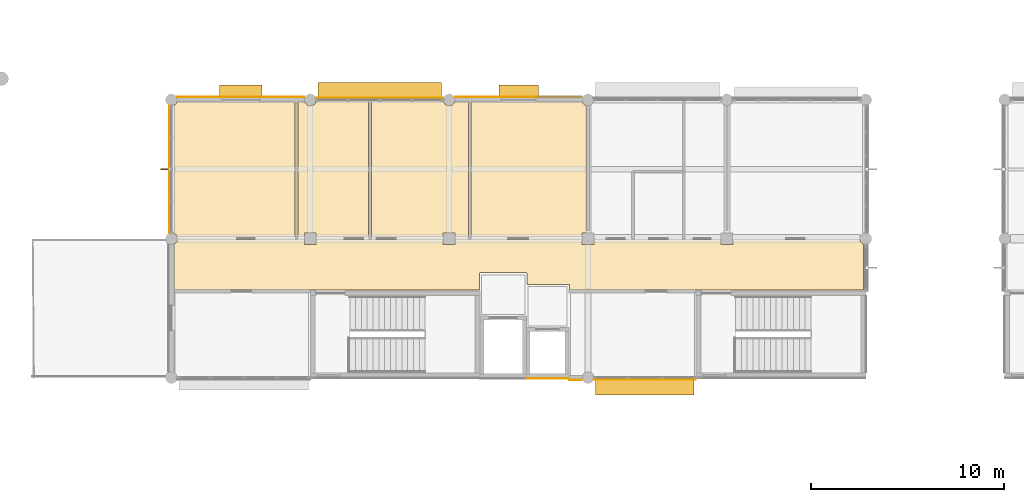
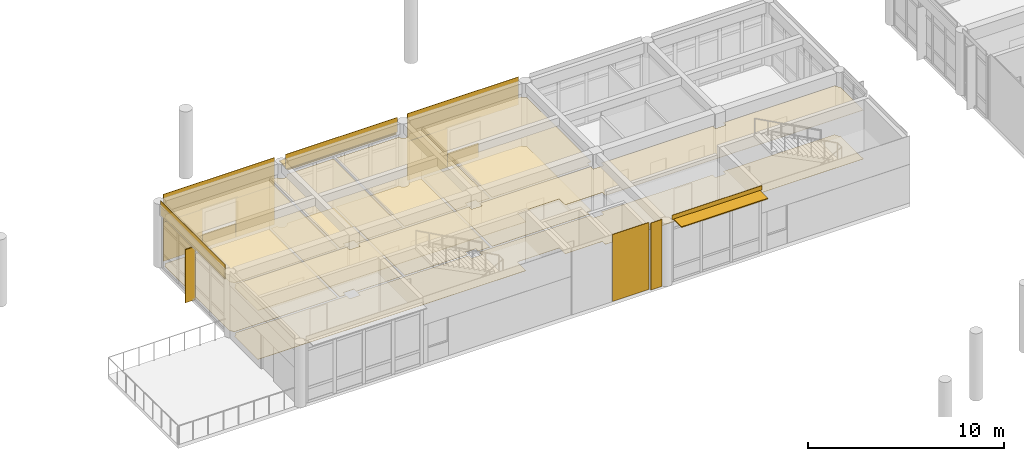
# One storey, part 36 of 41: 22 coverings, 5 shading devices.
"""IFC4 building model written with IfcOpenShell, lengths in metres."""

import ifcopenshell
import ifcopenshell.guid

model = None  # the IFC model being written
_history = None  # IfcOwnerHistory: only IFC2X3 demands one
_inside = {}  # id of a spatial element -> (the spatial element, [elements in it])
_under = {}  # id of a project, library or spatial element -> (it, [spatial elements below it])
_declared = {}  # id of a project -> (the project, [libraries it declares])
_typed = {}  # id of a type object -> (the type object, [elements of that type])
_made_of = {}  # id of a material, layer set ... -> (it, [elements and type objects made of it])


def new_model(schema):
    """Start an empty IFC model of exactly this schema.

    Asked for "IFC4X3", IfcOpenShell would pick the latest addendum, in which some entities
    have other attributes; the version numbers below select the first issue.
    IFC2X3 requires an IfcOwnerHistory on every rooted entity: one is made here for all.
    """
    global model, _history
    if schema == "IFC4X3":
        model = ifcopenshell.file(schema_version=(4, 3, 0, 0))
    else:
        model = ifcopenshell.file(schema=schema)
    _inside.clear()
    _under.clear()
    _declared.clear()
    _typed.clear()
    _made_of.clear()
    _history = None
    if model.schema == "IFC2X3":
        org = make("IfcOrganization", Name="unknown")
        user = make(
            "IfcPersonAndOrganization",
            ThePerson=make("IfcPerson", FamilyName="unknown"),
            TheOrganization=org,
        )
        app = make(
            "IfcApplication",
            ApplicationDeveloper=org,
            Version="unknown",
            ApplicationFullName="unknown",
            ApplicationIdentifier="unknown",
        )
        _history = make(
            "IfcOwnerHistory",
            OwningUser=user,
            OwningApplication=app,
            ChangeAction="ADDED",
            CreationDate=0,
        )
    return model


def make(cls, **values):
    """One entity of the class cls with the attributes given. An attribute that is None is left unset."""
    return model.create_entity(
        cls, **{name: value for name, value in values.items() if value is not None}
    )


def rooted(cls, **values):
    """An entity with a GlobalId (a new one), such as an element, a storey or a relation."""
    return make(cls, GlobalId=ifcopenshell.guid.new(), OwnerHistory=_history, **values)


def si_unit(unit_type, name, prefix=None):
    """IfcSIUnit, for example si_unit("LENGTHUNIT", "METRE", prefix="MILLI")."""
    return make("IfcSIUnit", UnitType=unit_type, Prefix=prefix, Name=name)


def assignment(units):
    """IfcUnitAssignment: the units of a project."""
    return None if units is None else make("IfcUnitAssignment", Units=units)


def point(xyz):
    """IfcCartesianPoint."""
    return None if xyz is None else make("IfcCartesianPoint", Coordinates=xyz)


def direction(xyz):
    """IfcDirection."""
    return None if xyz is None else make("IfcDirection", DirectionRatios=xyz)


def frame(location, z_axis=None, x_axis=None):
    """IfcAxis2Placement3D, a coordinate frame: its origin and axes. An axis left out is left unset."""
    return make(
        "IfcAxis2Placement3D",
        Location=point(location),
        Axis=direction(z_axis),
        RefDirection=direction(x_axis),
    )


def frame_2d(location, x_axis=None):
    """IfcAxis2Placement2D, a coordinate frame in the plane: its origin and x axis."""
    return make(
        "IfcAxis2Placement2D", Location=point(location), RefDirection=direction(x_axis)
    )


def origin():
    """The frame at (0, 0, 0) with its axes left unset."""
    return frame((0.0, 0.0, 0.0))


def origin_2d():
    """The frame at (0, 0) in the plane with its x axis left unset."""
    return frame_2d((0.0, 0.0))


def place(relative_to, where):
    """IfcLocalPlacement: puts the frame where relative to a parent placement (None: the world)."""
    return make(
        "IfcLocalPlacement", PlacementRelTo=relative_to, RelativePlacement=where
    )


def context(
    kind, dimensions, precision=None, world=None, true_north=None, identifier=None
):
    """IfcGeometricRepresentationContext, for example the 3D "Model" context."""
    return make(
        "IfcGeometricRepresentationContext",
        ContextIdentifier=identifier,
        ContextType=kind,
        CoordinateSpaceDimension=dimensions,
        Precision=precision,
        WorldCoordinateSystem=world,
        TrueNorth=true_north,
    )


def subcontext(parent, identifier, kind, view, scale=None):
    """IfcGeometricRepresentationSubContext, for example "Body" below "Model"."""
    return make(
        "IfcGeometricRepresentationSubContext",
        ContextIdentifier=identifier,
        ContextType=kind,
        ParentContext=parent,
        TargetScale=scale,
        TargetView=view,
    )


def project(units=None, contexts=None):
    """IfcProject with its units and contexts."""
    return rooted(
        "IfcProject",
        Name="project",
        RepresentationContexts=contexts,
        UnitsInContext=assignment(units),
    )


def spatial(cls, under=None, at=None, **own):
    """A site, building, storey or space (cls), placed at a placement, below another one or the project."""
    s = rooted(cls, ObjectPlacement=at, **own)
    if under is not None:
        _under.setdefault(under.id(), (under, []))[1].append(s)
    return s


def polyline(points):
    """IfcPolyline through the points."""
    return make("IfcPolyline", Points=[point(p) for p in points])


def profile(cls, at=None, kind="AREA", **sizes):
    """A parametric profile (cls). Its sizes go by their IFC names, for example OverallWidth=200.0."""
    return make(cls, ProfileType=kind, Position=at, **sizes)


def rectangle(**sizes):
    """IfcRectangleProfileDef."""
    return profile("IfcRectangleProfileDef", **sizes)


def outline(outer, holes=None, kind="AREA"):
    """IfcArbitraryClosedProfileDef: a profile drawn as a closed curve; with holes, ...WithVoids."""
    if holes is None:
        return make("IfcArbitraryClosedProfileDef", ProfileType=kind, OuterCurve=outer)
    return make(
        "IfcArbitraryProfileDefWithVoids",
        ProfileType=kind,
        OuterCurve=outer,
        InnerCurves=holes,
    )


def extrude(swept, where, along, depth):
    """IfcExtrudedAreaSolid: the profile swept, set in the frame where, extruded along a direction by depth."""
    return make(
        "IfcExtrudedAreaSolid",
        SweptArea=swept,
        Position=where,
        ExtrudedDirection=direction(along),
        Depth=depth,
    )


def shape(context_of_items, identifier, shape_type, items):
    """IfcShapeRepresentation: the items that make up one representation, for example the "Body"."""
    return make(
        "IfcShapeRepresentation",
        ContextOfItems=context_of_items,
        RepresentationIdentifier=identifier,
        RepresentationType=shape_type,
        Items=items,
    )


def material(Name=None, Category=None):
    """IfcMaterial."""
    return make("IfcMaterial", Name=Name, Category=Category)


def layer(
    of_material, thickness, ventilated=None, Name=None, Category=None, Priority=None
):
    """IfcMaterialLayer: one layer of a wall or slab, of a material (None: an air gap)."""
    return make(
        "IfcMaterialLayer",
        Material=of_material,
        LayerThickness=thickness,
        IsVentilated=ventilated,
        Name=Name,
        Category=Category,
        Priority=Priority,
    )


def layer_set(layers, Name=None):
    """IfcMaterialLayerSet."""
    return make("IfcMaterialLayerSet", MaterialLayers=layers, LayerSetName=Name)


def made_of(thing, what):
    """Note that an element or type object is made of a material, layer set ...; save() writes the relation."""
    if what is not None:
        _made_of.setdefault(what.id(), (what, []))[1].append(thing)
    return thing


def type_object(cls, material=None, **own):
    """A type object (cls), such as IfcWallType, which elements share."""
    return made_of(rooted(cls, **own), material)


def element(
    cls,
    number,
    at=None,
    inside=None,
    cuts=None,
    type_object=None,
    material=None,
    context=None,
    identifier="Body",
    shape_type=None,
    held_by="IfcProductDefinitionShape",
    body=None,
    shapes=None,
    **own,
):
    """One element of the class cls, such as IfcWall. Its Tag is "e" and its number.

    at: its placement. inside: the storey or other place that contains it. cuts: it is an
    opening in that element (IfcRelVoidsElement). A single representation is given by context,
    identifier, shape_type and body (its items); several are given by shapes. held_by: the class
    of the entity that holds the representations. save() writes the other relations.
    """
    e = rooted(cls, Tag="e%d" % number, ObjectPlacement=at, **own)
    if body is not None:
        shapes = [shape(context, identifier, shape_type, body)]
    if shapes is not None:
        e.Representation = make(held_by, Representations=shapes)
    if inside is not None:
        _inside.setdefault(inside.id(), (inside, []))[1].append(e)
    if cuts is not None:
        rooted(
            "IfcRelVoidsElement", RelatingBuildingElement=cuts, RelatedOpeningElement=e
        )
    if type_object is not None:
        _typed.setdefault(type_object.id(), (type_object, []))[1].append(e)
    return made_of(e, material)


def aggregate(whole, parts):
    """IfcRelAggregates: a whole, such as a stair, and the parts it consists of."""
    return rooted("IfcRelAggregates", RelatingObject=whole, RelatedObjects=parts)


def save(model, path):
    """Write the relations noted so far, then the file.

    IfcRelAggregates (storeys below a building ...), IfcRelContainedInSpatialStructure (elements
    in a storey), IfcRelDefinesByType, IfcRelAssociatesMaterial and IfcRelDeclares: one each for
    every whole, place, type object, material and project.
    """
    for whole, parts in _under.values():
        aggregate(whole, parts)
    for where, things in _inside.values():
        rooted(
            "IfcRelContainedInSpatialStructure",
            RelatedElements=things,
            RelatingStructure=where,
        )
    for kind, things in _typed.values():
        rooted("IfcRelDefinesByType", RelatedObjects=things, RelatingType=kind)
    for what, things in _made_of.values():
        rooted("IfcRelAssociatesMaterial", RelatedObjects=things, RelatingMaterial=what)
    for by, libraries in _declared.values():
        rooted("IfcRelDeclares", RelatingContext=by, RelatedDefinitions=libraries)
    model.write(path)


model = new_model("IFC4")

# Units and contexts
model_context = context("Model", 3, precision=1e-05, world=origin(), true_north=direction((0.0, 1.0)))
body_context = subcontext(model_context, "Body", "Model", "MODEL_VIEW")
ifc_project = project(units=[si_unit("LENGTHUNIT", "METRE"), si_unit("AREAUNIT", "SQUARE_METRE"), si_unit("VOLUMEUNIT", "CUBIC_METRE"), si_unit("PLANEANGLEUNIT", "RADIAN"), si_unit("MASSUNIT", "GRAM", prefix="KILO")], contexts=[model_context])

# Site, building, storey
site_placement = place(None, origin())
site = spatial("IfcSite", under=ifc_project, at=site_placement, CompositionType="ELEMENT")
building_placement = place(site_placement, origin())
building = spatial("IfcBuilding", under=site, at=building_placement, Name="Namkhue Oval Health Centre", CompositionType="ELEMENT")
storey_placement = place(building_placement, frame((0.0, 0.0, 13.800048828125)))
storey = spatial("IfcBuildingStorey", under=building, at=storey_placement, Name="L03", CompositionType="ELEMENT", Elevation=13.800048828125)

# Coverings
ifc_material_1 = material(Name="Acoustic mineral-fibre cleanroom ceiling", Category="gypsum")
ifc_layer_1 = layer(ifc_material_1, 0.02001953125)
ifc_layer_set_1 = layer_set([ifc_layer_1], Name="Acoustic mineral-fibre cleanroom ceiling")
covering_type_1 = type_object("IfcCoveringType", Name="ACOUSTIC CLEANROOM CEILING 20", PredefinedType="CEILING", material=ifc_layer_set_1)
covering_1_placement = place(storey_placement, frame((0.0, 0.0, 3.050048828125)))
element("IfcCovering", 1, at=covering_1_placement, inside=storey, type_object=covering_type_1, Name="Acoustic Ceiling L03-V2-C1 V2 Clinical Corridor", PredefinedType="CEILING", context=body_context, shape_type="SweptSolid", body=[
    extrude(outline(polyline([(71.0400390625, 94.800048828125), (71.037109375, 94.815185546875), (71.0283203125, 94.828369140625), (71.015380859375, 94.8369140625), (71.0, 94.840087890625), (68.840087890625, 94.840087890625), (68.83984375, 95.40380859375), (68.8369140625, 95.415283203125), (68.828369140625, 95.42822265625), (68.815185546875, 95.43701171875), (68.803955078125, 95.439697265625), (66.39990234375, 95.43994140625), (66.384765625, 95.43701171875), (66.37158203125, 95.42822265625), (66.363037109375, 95.415283203125), (66.360107421875, 95.39990234375), (66.360107421875, 94.5400390625), (50.52490234375, 94.5400390625), (50.52490234375, 96.919189453125), (50.554931640625, 96.931396484375), (50.619140625, 96.980712890625), (50.66845703125, 97.044921875), (50.699462890625, 97.119873046875), (50.70458984375, 97.159912109375), (57.2900390625, 97.159912109375), (57.2900390625, 96.889892578125), (57.909912109375, 96.889892578125), (57.909912109375, 97.159912109375), (64.489990234375, 97.159912109375), (64.489990234375, 96.889892578125), (65.110107421875, 96.889892578125), (65.110107421875, 97.159912109375), (71.68994140625, 97.159912109375), (71.68994140625, 96.889892578125), (72.31005859375, 96.889892578125), (72.31005859375, 97.159912109375), (78.889892578125, 97.159912109375), (78.889892578125, 96.889892578125), (79.510009765625, 96.889892578125), (79.510009765625, 97.159912109375), (86.09521484375, 97.159912109375), (86.1005859375, 97.119873046875), (86.131591796875, 97.044921875), (86.180908203125, 96.980712890625), (86.2451171875, 96.931396484375), (86.27490234375, 96.919189453125), (86.27490234375, 94.5400390625), (71.0400390625, 94.5400390625), (71.0400390625, 94.800048828125)])), origin(), (0.0, 0.0, 1.0), 0.02001953125),
])
covering_2_placement = place(storey_placement, frame((0.0, 0.0, 3.050048828125)))
element("IfcCovering", 2, at=covering_2_placement, inside=storey, type_object=covering_type_1, Name="Acoustic Ceiling L03-201 Patient Terrace Lounge", PredefinedType="CEILING", context=body_context, shape_type="SweptSolid", body=[
    extrude(outline(polyline([(50.699462890625, 97.280029296875), (50.66845703125, 97.35498046875), (50.619140625, 97.419189453125), (50.554931640625, 97.468505859375), (50.554931640625, 104.131591796875), (50.619140625, 104.180908203125), (50.66845703125, 104.2451171875), (50.697509765625, 104.31494140625), (56.81298828125, 104.31494140625), (56.81298828125, 97.280029296875), (50.699462890625, 97.280029296875)])), origin(), (0.0, 0.0, 1.0), 0.02001953125),
])
covering_3_placement = place(storey_placement, frame((0.0, 0.0, 3.050048828125)))
element("IfcCovering", 3, at=covering_3_placement, inside=storey, type_object=covering_type_1, Name="Acoustic Ceiling L03-202 HVAC Sub Plant Room", PredefinedType="CEILING", context=body_context, shape_type="SweptSolid", body=[
    extrude(outline(polyline([(57.909912109375, 97.280029296875), (57.909912109375, 97.510009765625), (57.2900390625, 97.510009765625), (57.2900390625, 97.280029296875), (56.952880859375, 97.280029296875), (56.952880859375, 104.31494140625), (57.302490234375, 104.31494140625), (57.33154296875, 104.2451171875), (57.380859375, 104.180908203125), (57.445068359375, 104.131591796875), (57.519775390625, 104.1005859375), (57.60009765625, 104.090087890625), (57.68017578125, 104.1005859375), (57.7548828125, 104.131591796875), (57.819091796875, 104.180908203125), (57.868408203125, 104.2451171875), (57.8974609375, 104.31494140625), (60.631103515625, 104.31494140625), (60.631103515625, 97.280029296875), (57.909912109375, 97.280029296875)])), origin(), (0.0, 0.0, 1.0), 0.02001953125),
])
covering_4_placement = place(storey_placement, frame((0.0, 0.0, 3.050048828125)))
element("IfcCovering", 4, at=covering_4_placement, inside=storey, type_object=covering_type_1, Name="Acoustic Ceiling L03-203 Family Medicine Consultation", PredefinedType="CEILING", context=body_context, shape_type="SweptSolid", body=[
    extrude(outline(polyline([(65.110107421875, 97.280029296875), (65.110107421875, 97.510009765625), (64.489990234375, 97.510009765625), (64.489990234375, 97.280029296875), (60.77099609375, 97.280029296875), (60.77099609375, 104.31494140625), (64.50244140625, 104.31494140625), (64.531494140625, 104.2451171875), (64.580810546875, 104.180908203125), (64.64501953125, 104.131591796875), (64.7197265625, 104.1005859375), (64.800048828125, 104.090087890625), (64.880126953125, 104.1005859375), (64.955078125, 104.131591796875), (65.019287109375, 104.180908203125), (65.068603515625, 104.2451171875), (65.097412109375, 104.31494140625), (65.799072265625, 104.31494140625), (65.799072265625, 97.280029296875), (65.110107421875, 97.280029296875)])), origin(), (0.0, 0.0, 1.0), 0.02001953125),
])
covering_5_placement = place(storey_placement, frame((0.0, 0.0, 3.050048828125)))
element("IfcCovering", 5, at=covering_5_placement, inside=storey, type_object=covering_type_1, Name="Acoustic Ceiling L03-204 Dermatology Examination Room", PredefinedType="CEILING", context=body_context, shape_type="SweptSolid", body=[
    extrude(outline(polyline([(65.93896484375, 97.280029296875), (65.93896484375, 104.31494140625), (71.702392578125, 104.31494140625), (71.7314453125, 104.2451171875), (71.78076171875, 104.180908203125), (71.844970703125, 104.131591796875), (71.919921875, 104.1005859375), (71.929931640625, 104.09912109375), (71.929931640625, 97.510009765625), (71.68994140625, 97.510009765625), (71.68994140625, 97.280029296875), (65.93896484375, 97.280029296875)])), origin(), (0.0, 0.0, 1.0), 0.02001953125),
])
ifc_material_2 = material(Name="Homogeneous anti-bacterial clinical vinyl flooring", Category="plastic")
ifc_layer_2 = layer(ifc_material_2, 0.014892578125)
ifc_layer_set_2 = layer_set([ifc_layer_2], Name="Homogeneous anti-bacterial clinical vinyl flooring")
covering_type_2 = type_object("IfcCoveringType", Name="CLINICAL ANTIBACTERIAL VINYL FLOORING 15", PredefinedType="FLOORING", material=ifc_layer_set_2)
covering_6_placement = place(storey_placement, origin())
element("IfcCovering", 6, at=covering_6_placement, inside=storey, type_object=covering_type_2, Name="Clinical Flooring L03-V2-C1 V2 Clinical Corridor", PredefinedType="FLOORING", context=body_context, shape_type="SweptSolid", body=[
    extrude(outline(polyline([(71.0400390625, 94.800048828125), (71.037109375, 94.815185546875), (71.0283203125, 94.828369140625), (71.015380859375, 94.8369140625), (71.0, 94.840087890625), (68.840087890625, 94.840087890625), (68.83984375, 95.40380859375), (68.8369140625, 95.415283203125), (68.828369140625, 95.42822265625), (68.815185546875, 95.43701171875), (68.803955078125, 95.439697265625), (66.39990234375, 95.43994140625), (66.384765625, 95.43701171875), (66.37158203125, 95.42822265625), (66.363037109375, 95.415283203125), (66.360107421875, 95.39990234375), (66.360107421875, 94.5400390625), (50.52490234375, 94.5400390625), (50.52490234375, 96.919189453125), (50.554931640625, 96.931396484375), (50.619140625, 96.980712890625), (50.66845703125, 97.044921875), (50.699462890625, 97.119873046875), (50.70458984375, 97.159912109375), (57.2900390625, 97.159912109375), (57.2900390625, 96.889892578125), (57.909912109375, 96.889892578125), (57.909912109375, 97.159912109375), (64.489990234375, 97.159912109375), (64.489990234375, 96.889892578125), (65.110107421875, 96.889892578125), (65.110107421875, 97.159912109375), (71.68994140625, 97.159912109375), (71.68994140625, 96.889892578125), (72.31005859375, 96.889892578125), (72.31005859375, 97.159912109375), (78.889892578125, 97.159912109375), (78.889892578125, 96.889892578125), (79.510009765625, 96.889892578125), (79.510009765625, 97.159912109375), (86.09521484375, 97.159912109375), (86.1005859375, 97.119873046875), (86.131591796875, 97.044921875), (86.180908203125, 96.980712890625), (86.2451171875, 96.931396484375), (86.27490234375, 96.919189453125), (86.27490234375, 94.5400390625), (71.0400390625, 94.5400390625), (71.0400390625, 94.800048828125)])), origin(), (0.0, 0.0, 1.0), 0.014892578125),
])
covering_7_placement = place(storey_placement, origin())
element("IfcCovering", 7, at=covering_7_placement, inside=storey, type_object=covering_type_2, Name="Clinical Flooring L03-201 Patient Terrace Lounge", PredefinedType="FLOORING", context=body_context, shape_type="SweptSolid", body=[
    extrude(outline(polyline([(50.699462890625, 97.280029296875), (50.66845703125, 97.35498046875), (50.619140625, 97.419189453125), (50.554931640625, 97.468505859375), (50.554931640625, 104.131591796875), (50.619140625, 104.180908203125), (50.66845703125, 104.2451171875), (50.697509765625, 104.31494140625), (56.81298828125, 104.31494140625), (56.81298828125, 97.280029296875), (50.699462890625, 97.280029296875)])), origin(), (0.0, 0.0, 1.0), 0.014892578125),
])
covering_8_placement = place(storey_placement, origin())
element("IfcCovering", 8, at=covering_8_placement, inside=storey, type_object=covering_type_2, Name="Clinical Flooring L03-202 HVAC Sub Plant Room", PredefinedType="FLOORING", context=body_context, shape_type="SweptSolid", body=[
    extrude(outline(polyline([(57.909912109375, 97.280029296875), (57.909912109375, 97.510009765625), (57.2900390625, 97.510009765625), (57.2900390625, 97.280029296875), (56.952880859375, 97.280029296875), (56.952880859375, 104.31494140625), (57.302490234375, 104.31494140625), (57.33154296875, 104.2451171875), (57.380859375, 104.180908203125), (57.445068359375, 104.131591796875), (57.519775390625, 104.1005859375), (57.60009765625, 104.090087890625), (57.68017578125, 104.1005859375), (57.7548828125, 104.131591796875), (57.819091796875, 104.180908203125), (57.868408203125, 104.2451171875), (57.8974609375, 104.31494140625), (60.631103515625, 104.31494140625), (60.631103515625, 97.280029296875), (57.909912109375, 97.280029296875)])), origin(), (0.0, 0.0, 1.0), 0.014892578125),
])
covering_9_placement = place(storey_placement, origin())
element("IfcCovering", 9, at=covering_9_placement, inside=storey, type_object=covering_type_2, Name="Clinical Flooring L03-203 Family Medicine Consultation", PredefinedType="FLOORING", context=body_context, shape_type="SweptSolid", body=[
    extrude(outline(polyline([(65.110107421875, 97.280029296875), (65.110107421875, 97.510009765625), (64.489990234375, 97.510009765625), (64.489990234375, 97.280029296875), (60.77099609375, 97.280029296875), (60.77099609375, 104.31494140625), (64.50244140625, 104.31494140625), (64.531494140625, 104.2451171875), (64.580810546875, 104.180908203125), (64.64501953125, 104.131591796875), (64.7197265625, 104.1005859375), (64.800048828125, 104.090087890625), (64.880126953125, 104.1005859375), (64.955078125, 104.131591796875), (65.019287109375, 104.180908203125), (65.068603515625, 104.2451171875), (65.097412109375, 104.31494140625), (65.799072265625, 104.31494140625), (65.799072265625, 97.280029296875), (65.110107421875, 97.280029296875)])), origin(), (0.0, 0.0, 1.0), 0.014892578125),
])
covering_10_placement = place(storey_placement, origin())
element("IfcCovering", 10, at=covering_10_placement, inside=storey, type_object=covering_type_2, Name="Clinical Flooring L03-204 Dermatology Examination Room", PredefinedType="FLOORING", context=body_context, shape_type="SweptSolid", body=[
    extrude(outline(polyline([(65.93896484375, 97.280029296875), (65.93896484375, 104.31494140625), (71.702392578125, 104.31494140625), (71.7314453125, 104.2451171875), (71.78076171875, 104.180908203125), (71.844970703125, 104.131591796875), (71.919921875, 104.1005859375), (71.929931640625, 104.09912109375), (71.929931640625, 97.510009765625), (71.68994140625, 97.510009765625), (71.68994140625, 97.280029296875), (65.93896484375, 97.280029296875)])), origin(), (0.0, 0.0, 1.0), 0.014892578125),
])

# Shading devices
ifc_material_3 = material(Name="Anodised aluminium EN AW-6063 T6", Category="aluminium")
ifc_layer_3 = layer(ifc_material_3, 0.06005859375)
ifc_layer_set_3 = layer_set([ifc_layer_3], Name="Anodised aluminium EN AW-6063 T6")
shading_device_type_1 = type_object("IfcShadingDeviceType", Name="MONSOON SUN LOUVRE 900", PredefinedType="JALOUSIE", material=ifc_layer_set_3)
shading_device_1_placement = place(storey_placement, frame((74.946533203125, 89.550048828125, 3.875), z_axis=(0.0, 0.0, 1.0), x_axis=(1.0, 0.0, 0.0)))
element("IfcShadingDevice", 11, at=shading_device_1_placement, inside=storey, type_object=shading_device_type_1, Name="Volume V2 L03 Horizontal Monsoon Sun Louvre 90", PredefinedType="JALOUSIE", context=body_context, shape_type="SweptSolid", body=[
    extrude(rectangle(XDim=5.10302734375, YDim=0.89990234375, at=origin_2d()), origin(), (0.0, 0.0, 1.0), 0.06005859375),
])
shading_device_2_placement = place(storey_placement, frame((61.199951171875, 104.85009765625, 3.224853515625), z_axis=(0.0, 0.0, 1.0), x_axis=(-1.0, 0.0, 0.0)))
element("IfcShadingDevice", 12, at=shading_device_2_placement, inside=storey, type_object=shading_device_type_1, Name="Volume V2 L03 Horizontal Monsoon Sun Louvre 96", PredefinedType="JALOUSIE", context=body_context, shape_type="SweptSolid", body=[
    extrude(rectangle(XDim=6.409912109375, YDim=0.89990234375, at=origin_2d()), origin(), (0.0, 0.0, 1.0), 0.06005859375),
])
ifc_layer_4 = layer(ifc_material_3, 0.050048828125)
ifc_layer_set_4 = layer_set([ifc_layer_4], Name="Anodised aluminium EN AW-6063 T6")
shading_device_type_2 = type_object("IfcShadingDeviceType", Name="STORM SHUTTER LOUVRE 650", PredefinedType="SHUTTER", material=ifc_layer_set_4)
shading_device_3_placement = place(storey_placement, frame((68.39990234375, 104.840087890625, 2.4599609375), z_axis=(0.0, 0.0, 1.0), x_axis=(-1.0, 0.0, 0.0)))
element("IfcShadingDevice", 13, at=shading_device_3_placement, inside=storey, type_object=shading_device_type_2, Name="Volume V2 L03 Window Monsoon Louvre 95", PredefinedType="SHUTTER", context=body_context, shape_type="SweptSolid", body=[
    extrude(rectangle(XDim=2.0400390625, YDim=0.64990234375, at=origin_2d()), origin(), (0.0, 0.0, 1.0), 0.06005859375),
])
shading_device_4_placement = place(storey_placement, frame((54.0, 104.844970703125, 2.4599609375), z_axis=(0.0, 0.0, 1.0), x_axis=(-1.0, 0.0, 0.0)))
element("IfcShadingDevice", 14, at=shading_device_4_placement, inside=storey, type_object=shading_device_type_2, Name="Volume V2 L03 Window Monsoon Louvre 97", PredefinedType="SHUTTER", context=body_context, shape_type="SweptSolid", body=[
    extrude(rectangle(XDim=2.18994140625, YDim=0.64990234375, at=origin_2d()), origin(), (0.0, 0.0, 1.0), 0.06005859375),
])
shading_device_type_3 = type_object("IfcShadingDeviceType", Name="VERTICAL SOLAR FIN 600", PredefinedType="USERDEFINED", material=ifc_material_3)
shading_device_5_placement = place(storey_placement, frame((50.139892578125, 100.800048828125, 0.0), z_axis=(0.0, 0.0, 1.0), x_axis=(-1.0, 0.0, 0.0)))
element("IfcShadingDevice", 15, at=shading_device_5_placement, inside=storey, type_object=shading_device_type_3, Name="Volume V2 L03 Extruded Aluminium Solar Fin 98", ObjectType="SOLAR FIN", PredefinedType="USERDEFINED", context=body_context, shape_type="SweptSolid", body=[
    extrude(rectangle(XDim=0.60009765625, YDim=0.06005859375, at=origin_2d()), origin(), (0.0, 0.0, 1.0), 3.322021484375),
])

# Coverings
ifc_material_4 = material(Name="White glass-fibre reinforced concrete GRC rainscreen cladding", Category="concrete")
ifc_layer_5 = layer(ifc_material_4, 0.02490234375)
ifc_layer_set_5 = layer_set([ifc_layer_5], Name="White glass-fibre reinforced concrete GRC rainscreen cladding")
covering_type_3 = type_object("IfcCoveringType", Name="WHITE GRC RAINSCREEN CLADDING 25", PredefinedType="CLADDING", material=ifc_layer_set_5)
covering_11_placement = place(storey_placement, frame((71.353515625, 89.867919921875, 0.009765625), z_axis=(0.0, 0.0, 1.0), x_axis=(1.0, 0.0, 0.0)))
element("IfcCovering", 16, at=covering_11_placement, inside=storey, type_object=covering_type_3, Name="Volume V2 L03 Facade 39 White GRC Cladding 1", PredefinedType="CLADDING", context=body_context, shape_type="SweptSolid", body=[
    extrude(rectangle(XDim=0.6630859375, YDim=0.02490234375, at=origin_2d()), origin(), (0.0, 0.0, 1.0), 4.179931640625),
])
covering_12_placement = place(storey_placement, frame((74.946533203125, 89.91162109375, 3.929931640625), z_axis=(0.0, 0.0, 1.0), x_axis=(1.0, 0.0, 0.0)))
element("IfcCovering", 17, at=covering_12_placement, inside=storey, type_object=covering_type_3, Name="Volume V2 L03 Curtain Wall Spandrel Cladding 71", PredefinedType="CLADDING", context=body_context, shape_type="SweptSolid", body=[
    extrude(rectangle(XDim=5.29296875, YDim=0.02490234375, at=origin_2d()), origin(), (0.0, 0.0, 1.0), 0.27001953125),
])
covering_13_placement = place(storey_placement, frame((68.39990234375, 104.537109375, 2.455078125), z_axis=(0.0, 0.0, 1.0), x_axis=(-1.0, 0.0, 0.0)))
element("IfcCovering", 18, at=covering_13_placement, inside=storey, type_object=covering_type_3, Name="Volume V2 L03 Facade 40 White GRC Cladding 1", PredefinedType="CLADDING", context=body_context, shape_type="SweptSolid", body=[
    extrude(rectangle(XDim=6.570068359375, YDim=0.02490234375, at=origin_2d()), origin(), (0.0, 0.0, 1.0), 1.735107421875),
])
covering_14_placement = place(storey_placement, frame((68.39990234375, 104.537109375, 0.010009765625), z_axis=(0.0, 0.0, 1.0), x_axis=(-1.0, 0.0, 0.0)))
element("IfcCovering", 19, at=covering_14_placement, inside=storey, type_object=covering_type_3, Name="Volume V2 L03 Facade 40 White GRC Cladding 3", PredefinedType="CLADDING", context=body_context, shape_type="SweptSolid", body=[
    extrude(rectangle(XDim=1.820068359375, YDim=0.02490234375, at=origin_2d()), origin(), (0.0, 0.0, 1.0), 0.875),
])
covering_15_placement = place(storey_placement, frame((66.300048828125, 104.537109375, 0.010009765625), z_axis=(0.0, 0.0, 1.0), x_axis=(-1.0, 0.0, 0.0)))
element("IfcCovering", 20, at=covering_15_placement, inside=storey, type_object=covering_type_3, Name="Volume V2 L03 Facade 40 White GRC Cladding 4", PredefinedType="CLADDING", context=body_context, shape_type="SweptSolid", body=[
    extrude(rectangle(XDim=2.3701171875, YDim=0.02490234375, at=origin_2d()), origin(), (0.0, 0.0, 1.0), 2.43994140625),
])
covering_16_placement = place(storey_placement, frame((61.199951171875, 104.488525390625, 3.280029296875), z_axis=(0.0, 0.0, 1.0), x_axis=(-1.0, 0.0, 0.0)))
element("IfcCovering", 21, at=covering_16_placement, inside=storey, type_object=covering_type_3, Name="Volume V2 L03 Curtain Wall Spandrel Cladding 76", PredefinedType="CLADDING", context=body_context, shape_type="SweptSolid", body=[
    extrude(rectangle(XDim=6.60009765625, YDim=0.02490234375, at=origin_2d()), origin(), (0.0, 0.0, 1.0), 0.919921875),
])
covering_17_placement = place(storey_placement, frame((54.0, 104.5419921875, 2.455078125), z_axis=(0.0, 0.0, 1.0), x_axis=(-1.0, 0.0, 0.0)))
element("IfcCovering", 22, at=covering_17_placement, inside=storey, type_object=covering_type_3, Name="Volume V2 L03 Facade 41 White GRC Cladding 1", PredefinedType="CLADDING", context=body_context, shape_type="SweptSolid", body=[
    extrude(rectangle(XDim=6.570068359375, YDim=0.02490234375, at=origin_2d()), origin(), (0.0, 0.0, 1.0), 1.735107421875),
])
covering_18_placement = place(storey_placement, frame((56.137451171875, 104.5419921875, 0.010009765625), z_axis=(0.0, 0.0, 1.0), x_axis=(-1.0, 0.0, 0.0)))
element("IfcCovering", 23, at=covering_18_placement, inside=storey, type_object=covering_type_3, Name="Volume V2 L03 Facade 41 White GRC Cladding 2", PredefinedType="CLADDING", context=body_context, shape_type="SweptSolid", body=[
    extrude(rectangle(XDim=2.294921875, YDim=0.02490234375, at=origin_2d()), origin(), (0.0, 0.0, 1.0), 2.43994140625),
])
covering_19_placement = place(storey_placement, frame((54.0, 104.5419921875, 0.010009765625), z_axis=(0.0, 0.0, 1.0), x_axis=(-1.0, 0.0, 0.0)))
element("IfcCovering", 24, at=covering_19_placement, inside=storey, type_object=covering_type_3, Name="Volume V2 L03 Facade 41 White GRC Cladding 3", PredefinedType="CLADDING", context=body_context, shape_type="SweptSolid", body=[
    extrude(rectangle(XDim=1.969970703125, YDim=0.02490234375, at=origin_2d()), origin(), (0.0, 0.0, 1.0), 0.875),
])
covering_20_placement = place(storey_placement, frame((51.862548828125, 104.5419921875, 0.010009765625), z_axis=(0.0, 0.0, 1.0), x_axis=(-1.0, 0.0, 0.0)))
element("IfcCovering", 25, at=covering_20_placement, inside=storey, type_object=covering_type_3, Name="Volume V2 L03 Facade 41 White GRC Cladding 4", PredefinedType="CLADDING", context=body_context, shape_type="SweptSolid", body=[
    extrude(rectangle(XDim=2.294921875, YDim=0.02490234375, at=origin_2d()), origin(), (0.0, 0.0, 1.0), 2.43994140625),
])
covering_21_placement = place(storey_placement, frame((50.3115234375, 100.800048828125, 3.306884765625), z_axis=(0.0, 0.0, 1.0), x_axis=(0.0, -1.0, 0.0)))
element("IfcCovering", 26, at=covering_21_placement, inside=storey, type_object=covering_type_3, Name="Volume V2 L03 Curtain Wall Spandrel Cladding 77", PredefinedType="CLADDING", context=body_context, shape_type="SweptSolid", body=[
    extrude(rectangle(XDim=6.60009765625, YDim=0.02490234375, at=origin_2d()), origin(), (0.0, 0.0, 1.0), 0.89306640625),
])
covering_22_placement = place(storey_placement, frame((69.89990234375, 89.962890625, 0.009765625), z_axis=(0.0, 0.0, 1.0), x_axis=(1.0, 0.0, 0.0)))
element("IfcCovering", 27, at=covering_22_placement, inside=storey, type_object=covering_type_3, Name="Lift LF-02 L03 S White GRC Cladding 1", PredefinedType="CLADDING", context=body_context, shape_type="SweptSolid", body=[
    extrude(rectangle(XDim=2.159912109375, YDim=0.02490234375, at=origin_2d()), origin(), (0.0, 0.0, 1.0), 4.179931640625),
])

save(model, "model.ifc")
